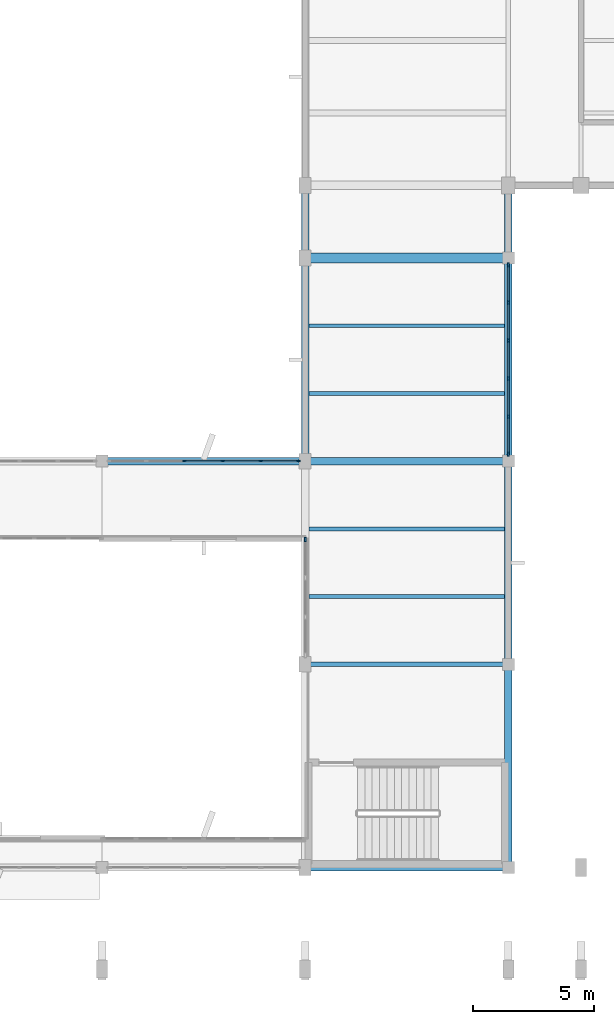
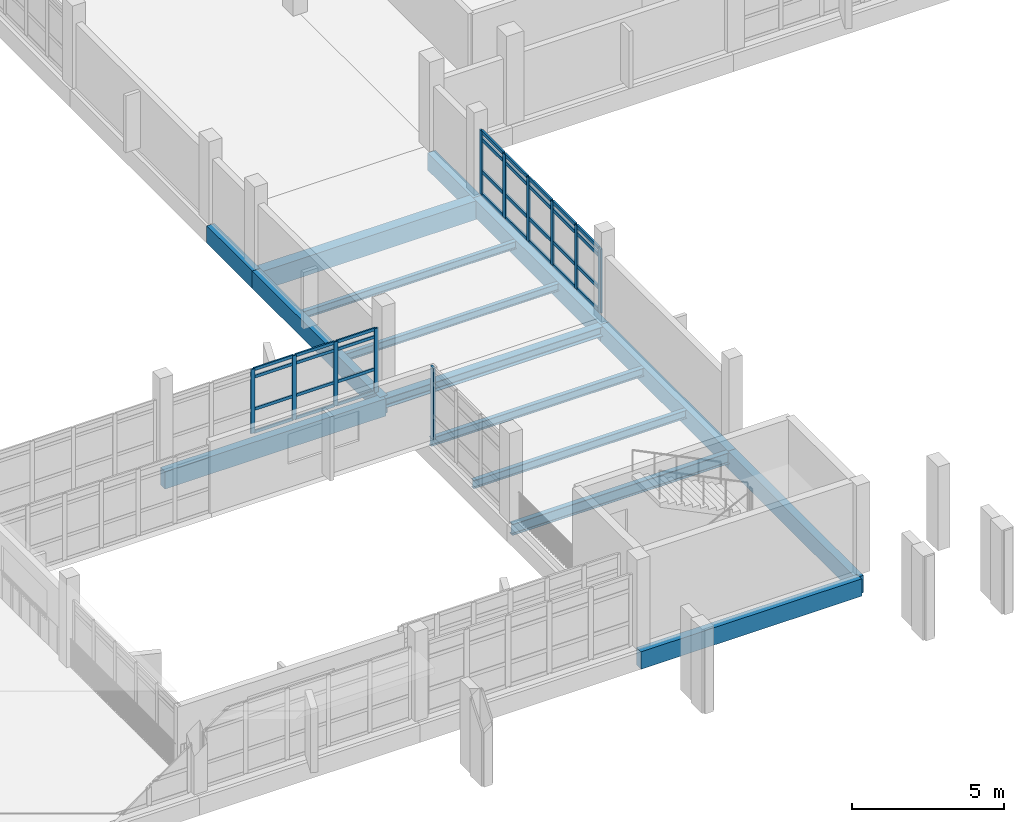
# One storey, part 10 of 104: 43 members, 15 beams, 3 elements without a shape of their own.
"""IFC4 building model written with IfcOpenShell, lengths in metres."""

from ifc_helpers import new_model, si_unit, direction, frame, origin, origin_2d, place, context, subcontext, project, spatial, rectangle, i_section, extrude, material, material_profile, profile_set, type_object, element, aggregate, save


model = new_model("IFC4")

# Units and contexts
model_context = context("Model", 3, precision=1e-05, world=origin(), true_north=direction((0.0, 1.0)))
body_context = subcontext(model_context, "Body", "Model", "MODEL_VIEW")
ifc_project = project(units=[si_unit("LENGTHUNIT", "METRE"), si_unit("AREAUNIT", "SQUARE_METRE"), si_unit("VOLUMEUNIT", "CUBIC_METRE"), si_unit("PLANEANGLEUNIT", "RADIAN"), si_unit("MASSUNIT", "GRAM", prefix="KILO")], contexts=[model_context])

# Site, building, storey
site_placement = place(None, origin())
site = spatial("IfcSite", under=ifc_project, at=site_placement, CompositionType="ELEMENT")
building_placement = place(site_placement, origin())
building = spatial("IfcBuilding", under=site, at=building_placement, Name="Vanh Quang Courtyard School", CompositionType="ELEMENT")
storey_placement = place(building_placement, frame((0.0, 0.0, 4.199951171875)))
storey = spatial("IfcBuildingStorey", under=building, at=storey_placement, Name="L01", CompositionType="ELEMENT", Elevation=4.199951171875)

# Beams
ifc_material_1 = material(Name="Concrete C35/45", Category="concrete")
ifc_material_profile_1 = material_profile(ifc_material_1, rectangle(XDim=0.39990234375, YDim=0.75, at=origin_2d()), Name="RC-BM 400x750")
ifc_profile_set_1 = profile_set([ifc_material_profile_1], Name="Concrete C35/45")
beam_type_1 = type_object("IfcBeamType", Name="BM-RC-400x750", PredefinedType="BEAM", material=ifc_profile_set_1)
beam_1_placement = place(storey_placement, frame((29.39990234375, 29.39990234375, -0.655029296875), z_axis=(1.0, 0.0, 0.0), x_axis=(0.0, 1.0, 0.0)))
element("IfcBeam", 1, at=beam_1_placement, inside=storey, type_object=beam_type_1, Name="Beam B-03 (L01)", PredefinedType="BEAM", context=body_context, shape_type="SweptSolid", body=[
    extrude(rectangle(XDim=0.39990234375, YDim=0.75, at=origin_2d()), origin(), (0.0, 0.0, 1.0), 8.400146484375),
])
ifc_material_profile_2 = material_profile(ifc_material_1, rectangle(XDim=0.300048828125, YDim=0.699951171875, at=origin_2d()), Name="RC-SP 300x700")
ifc_profile_set_2 = profile_set([ifc_material_profile_2], Name="Concrete C35/45")
beam_type_2 = type_object("IfcBeamType", Name="BM-SP-300x700", PredefinedType="SPANDREL", material=ifc_profile_set_2)
beam_2_placement = place(storey_placement, frame((29.39990234375, 4.199951171875, -0.6298828125), z_axis=(1.0, 0.0, 0.0), x_axis=(0.0, 1.0, 0.0)))
element("IfcBeam", 2, at=beam_2_placement, inside=storey, type_object=beam_type_2, Name="Beam BS-01 (L01)", PredefinedType="SPANDREL", context=body_context, shape_type="SweptSolid", body=[
    extrude(rectangle(XDim=0.300048828125, YDim=0.699951171875, at=origin_2d()), origin(), (0.0, 0.0, 1.0), 8.400146484375),
])
for number, where, z_axis, x_axis, name in (
    (3, (21.0, 21.0, -0.6298828125), (1.0, 0.0, 0.0), (0.0, 1.0, 0.0), "Beam BS-01 (L01)"),
    (4, (29.39990234375, 21.0, -0.6298828125), (0.0, 1.0, 0.0), (-1.0, 0.0, 0.0), "Beam BS-01 (L01)"),
):
    element("IfcBeam", number, at=place(storey_placement, frame(where, z_axis=z_axis, x_axis=x_axis)), inside=storey, type_object=beam_type_2, Name=name, PredefinedType="SPANDREL", context=body_context, shape_type="SweptSolid", body=[
        extrude(rectangle(XDim=0.300048828125, YDim=0.699951171875, at=origin_2d()), origin(), (0.0, 0.0, 1.0), 8.39990234375),
    ])
beam_3_placement = place(storey_placement, frame((29.39990234375, 29.39990234375, -0.6298828125), z_axis=(0.0, 1.0, 0.0), x_axis=(-1.0, 0.0, 0.0)))
element("IfcBeam", 5, at=beam_3_placement, inside=storey, type_object=beam_type_2, Name="Beam BS-01 (L01)", PredefinedType="SPANDREL", context=body_context, shape_type="SweptSolid", body=[
    extrude(rectangle(XDim=0.300048828125, YDim=0.699951171875, at=origin_2d()), origin(), (0.0, 0.0, 1.0), 3.0),
])
beam_4_placement = place(storey_placement, frame((37.800048828125, 4.199951171875, -0.6298828125), z_axis=(0.0, 1.0, 0.0), x_axis=(-1.0, 0.0, 0.0)))
element("IfcBeam", 6, at=beam_4_placement, inside=storey, type_object=beam_type_2, Name="Beam BS-01 (L01)", PredefinedType="SPANDREL", context=body_context, shape_type="SweptSolid", body=[
    extrude(rectangle(XDim=0.300048828125, YDim=0.699951171875, at=origin_2d()), origin(), (0.0, 0.0, 1.0), 8.400146484375),
])
for number, where, z_axis, x_axis, name in (
    (7, (37.800048828125, 12.60009765625, -0.6298828125), (0.0, 1.0, 0.0), (-1.0, 0.0, 0.0), "Beam BS-01 (L01)"),
    (8, (37.800048828125, 21.0, -0.6298828125), (0.0, 1.0, 0.0), (-1.0, 0.0, 0.0), "Beam BS-01 (L01)"),
):
    element("IfcBeam", number, at=place(storey_placement, frame(where, z_axis=z_axis, x_axis=x_axis)), inside=storey, type_object=beam_type_2, Name=name, PredefinedType="SPANDREL", context=body_context, shape_type="SweptSolid", body=[
        extrude(rectangle(XDim=0.300048828125, YDim=0.699951171875, at=origin_2d()), origin(), (0.0, 0.0, 1.0), 8.39990234375),
    ])
beam_5_placement = place(storey_placement, frame((37.800048828125, 29.39990234375, -0.6298828125), z_axis=(0.0, 1.0, 0.0), x_axis=(-1.0, 0.0, 0.0)))
element("IfcBeam", 9, at=beam_5_placement, inside=storey, type_object=beam_type_2, Name="Beam BS-01 (L01)", PredefinedType="SPANDREL", context=body_context, shape_type="SweptSolid", body=[
    extrude(rectangle(XDim=0.300048828125, YDim=0.699951171875, at=origin_2d()), origin(), (0.0, 0.0, 1.0), 3.0),
])
ifc_material_2 = material(Name="Structural steel EN 10025-2 S355J2", Category="steel")
ifc_material_profile_3 = material_profile(ifc_material_2, i_section(OverallWidth=0.300048828125, OverallDepth=0.389892578125, WebThickness=0.010986328125, FlangeThickness=0.01904296875, FilletRadius=0.027099609375, at=origin_2d()), Name="HEA 400")
ifc_profile_set_3 = profile_set([ifc_material_profile_3], Name="Structural steel EN 10025-2 S355J2")
beam_type_3 = type_object("IfcBeamType", Name="BM-STL-HEA400", PredefinedType="BEAM", material=ifc_profile_set_3)
beam_6_placement = place(storey_placement, frame((29.39990234375, 21.0, -0.474853515625), z_axis=(1.0, 0.0, 0.0), x_axis=(0.0, 1.0, 0.0)))
element("IfcBeam", 10, at=beam_6_placement, inside=storey, type_object=beam_type_3, Name="Beam SB-08 (L01)", PredefinedType="BEAM", context=body_context, shape_type="SweptSolid", body=[
    extrude(i_section(OverallWidth=0.300048828125, OverallDepth=0.389892578125, WebThickness=0.010986328125, FlangeThickness=0.01904296875, FilletRadius=0.027099609375, at=origin_2d()), origin(), (0.0, 0.0, 1.0), 8.400146484375),
])
ifc_material_profile_4 = material_profile(ifc_material_2, i_section(OverallWidth=0.18994140625, OverallDepth=0.449951171875, WebThickness=0.009521484375, FlangeThickness=0.0146484375, FilletRadius=0.02099609375, at=origin_2d()), Name="IPE 450")
ifc_profile_set_4 = profile_set([ifc_material_profile_4], Name="Structural steel EN 10025-2 S355J2")
beam_type_4 = type_object("IfcBeamType", Name="BM-STL-IPE450", PredefinedType="BEAM", material=ifc_profile_set_4)
beam_7_placement = place(storey_placement, frame((29.39990234375, 12.60009765625, -0.5048828125), z_axis=(1.0, 0.0, 0.0), x_axis=(0.0, 1.0, 0.0)))
element("IfcBeam", 11, at=beam_7_placement, inside=storey, type_object=beam_type_4, Name="Beam SB-04 (L01)", PredefinedType="BEAM", context=body_context, shape_type="SweptSolid", body=[
    extrude(i_section(OverallWidth=0.18994140625, OverallDepth=0.449951171875, WebThickness=0.009521484375, FlangeThickness=0.0146484375, FilletRadius=0.02099609375, at=origin_2d()), origin(), (0.0, 0.0, 1.0), 8.400146484375),
])

# Curtain wall, members
ifc_material_3 = material(Name="Thermally broken aluminium unitised curtain wall", Category="aluminium")
curtain_wall_type_1 = type_object("IfcCurtainWallType", Name="CW-SYS-19", PredefinedType="NOTDEFINED", material=ifc_material_3)
curtain_wall_1_placement = place(storey_placement, origin())
curtain_wall_1 = element("IfcCurtainWall", 12, at=curtain_wall_1_placement, inside=storey, type_object=curtain_wall_type_1, Name="Curtain Wall CW-19 (L01)", PredefinedType="NOTDEFINED")
ifc_material_4 = material(Name="Anodised aluminium 6063-T6", Category="aluminium")
ifc_material_profile_5 = material_profile(ifc_material_4, rectangle(XDim=0.06005859375, YDim=0.159912109375, at=origin_2d()), Name="ALU-MUL 60x160")
ifc_profile_set_5 = profile_set([ifc_material_profile_5], Name="Anodised aluminium 6063-T6")
member_type_1 = type_object("IfcMemberType", Name="CW-MUL-60x160", PredefinedType="MULLION", material=ifc_profile_set_5)
member_1_placement = place(storey_placement, frame((24.41162109375, 21.0, 0.0), z_axis=(0.0, 0.0, 1.0), x_axis=(0.0, 1.0, 0.0)))
member_1 = element("IfcMember", 13, at=member_1_placement, type_object=member_type_1, Name="CW-19 mullion 3", PredefinedType="MULLION", context=body_context, shape_type="SweptSolid", body=[
    extrude(rectangle(XDim=0.06005859375, YDim=0.159912109375, at=origin_2d()), origin(), (0.0, 0.0, 1.0), 2.580078125),
])
member_2_placement = place(storey_placement, frame((25.98828125, 21.0, 0.0), z_axis=(0.0, 0.0, 1.0), x_axis=(0.0, 1.0, 0.0)))
member_2 = element("IfcMember", 14, at=member_2_placement, type_object=member_type_1, Name="CW-19 mullion 4", PredefinedType="MULLION", context=body_context, shape_type="SweptSolid", body=[
    extrude(rectangle(XDim=0.06005859375, YDim=0.159912109375, at=origin_2d()), origin(), (0.0, 0.0, 1.0), 2.580078125),
])
member_3_placement = place(storey_placement, frame((27.565185546875, 21.0, 0.0), z_axis=(0.0, 0.0, 1.0), x_axis=(0.0, 1.0, 0.0)))
member_3 = element("IfcMember", 15, at=member_3_placement, type_object=member_type_1, Name="CW-19 mullion 5", PredefinedType="MULLION", context=body_context, shape_type="SweptSolid", body=[
    extrude(rectangle(XDim=0.06005859375, YDim=0.159912109375, at=origin_2d()), origin(), (0.0, 0.0, 1.0), 2.580078125),
])
member_4_placement = place(storey_placement, frame((29.112060546875, 21.0, 0.0), z_axis=(0.0, 0.0, 1.0), x_axis=(0.0, 1.0, 0.0)))
member_4 = element("IfcMember", 16, at=member_4_placement, type_object=member_type_1, Name="CW-19 mullion 6", PredefinedType="MULLION", context=body_context, shape_type="SweptSolid", body=[
    extrude(rectangle(XDim=0.06005859375, YDim=0.159912109375, at=origin_2d()), origin(), (0.0, 0.0, 1.0), 2.580078125),
])

curtain_wall_2_placement = place(storey_placement, origin())
curtain_wall_2 = element("IfcCurtainWall", 17, at=curtain_wall_2_placement, inside=storey, type_object=curtain_wall_type_1, Name="Curtain Wall CW-19 (L01)", PredefinedType="NOTDEFINED")
ifc_material_profile_6 = material_profile(ifc_material_4, rectangle(XDim=0.070068359375, YDim=0.179931640625, at=origin_2d()), Name="ALU-MUL 70x180")
ifc_profile_set_6 = profile_set([ifc_material_profile_6], Name="Anodised aluminium 6063-T6")
member_type_2 = type_object("IfcMemberType", Name="CW-MUL-70x180", PredefinedType="MULLION", material=ifc_profile_set_6)
member_5_placement = place(storey_placement, frame((37.800048828125, 29.10693359375, 0.0), z_axis=(0.0, 0.0, 1.0), x_axis=(1.0, 0.0, 0.0)))
member_5 = element("IfcMember", 18, at=member_5_placement, type_object=member_type_2, Name="CW-19 mullion 1", PredefinedType="MULLION", context=body_context, shape_type="SweptSolid", body=[
    extrude(rectangle(XDim=0.070068359375, YDim=0.179931640625, at=origin_2d()), origin(), (0.0, 0.0, 1.0), 2.580078125),
])
member_6_placement = place(storey_placement, frame((37.800048828125, 27.565185546875, 0.0), z_axis=(0.0, 0.0, 1.0), x_axis=(1.0, 0.0, 0.0)))
member_6 = element("IfcMember", 19, at=member_6_placement, type_object=member_type_2, Name="CW-19 mullion 2", PredefinedType="MULLION", context=body_context, shape_type="SweptSolid", body=[
    extrude(rectangle(XDim=0.070068359375, YDim=0.179931640625, at=origin_2d()), origin(), (0.0, 0.0, 1.0), 2.580078125),
])
member_7_placement = place(storey_placement, frame((37.800048828125, 25.98828125, 0.0), z_axis=(0.0, 0.0, 1.0), x_axis=(1.0, 0.0, 0.0)))
member_7 = element("IfcMember", 20, at=member_7_placement, type_object=member_type_2, Name="CW-19 mullion 3", PredefinedType="MULLION", context=body_context, shape_type="SweptSolid", body=[
    extrude(rectangle(XDim=0.070068359375, YDim=0.179931640625, at=origin_2d()), origin(), (0.0, 0.0, 1.0), 2.580078125),
])
member_8_placement = place(storey_placement, frame((37.800048828125, 24.41162109375, 0.0), z_axis=(0.0, 0.0, 1.0), x_axis=(1.0, 0.0, 0.0)))
member_8 = element("IfcMember", 21, at=member_8_placement, type_object=member_type_2, Name="CW-19 mullion 4", PredefinedType="MULLION", context=body_context, shape_type="SweptSolid", body=[
    extrude(rectangle(XDim=0.070068359375, YDim=0.179931640625, at=origin_2d()), origin(), (0.0, 0.0, 1.0), 2.580078125),
])
member_9_placement = place(storey_placement, frame((37.800048828125, 22.834716796875, 0.0), z_axis=(0.0, 0.0, 1.0), x_axis=(1.0, 0.0, 0.0)))
member_9 = element("IfcMember", 22, at=member_9_placement, type_object=member_type_2, Name="CW-19 mullion 5", PredefinedType="MULLION", context=body_context, shape_type="SweptSolid", body=[
    extrude(rectangle(XDim=0.070068359375, YDim=0.179931640625, at=origin_2d()), origin(), (0.0, 0.0, 1.0), 2.580078125),
])
member_10_placement = place(storey_placement, frame((37.800048828125, 21.29296875, 0.0), z_axis=(0.0, 0.0, 1.0), x_axis=(1.0, 0.0, 0.0)))
member_10 = element("IfcMember", 23, at=member_10_placement, type_object=member_type_2, Name="CW-19 mullion 6", PredefinedType="MULLION", context=body_context, shape_type="SweptSolid", body=[
    extrude(rectangle(XDim=0.070068359375, YDim=0.179931640625, at=origin_2d()), origin(), (0.0, 0.0, 1.0), 2.580078125),
])

# Curtain wall, member
curtain_wall_type_2 = type_object("IfcCurtainWallType", Name="CW-SYS-32", PredefinedType="NOTDEFINED", material=ifc_material_3)
curtain_wall_3_placement = place(storey_placement, origin())
curtain_wall_3 = element("IfcCurtainWall", 24, at=curtain_wall_3_placement, inside=storey, type_object=curtain_wall_type_2, Name="Curtain Wall CW-32 (L01)", PredefinedType="NOTDEFINED")
ifc_material_profile_7 = material_profile(ifc_material_4, rectangle(XDim=0.080078125, YDim=0.199951171875, at=origin_2d()), Name="ALU-MUL 80x200")
ifc_profile_set_7 = profile_set([ifc_material_profile_7], Name="Anodised aluminium 6063-T6")
member_type_3 = type_object("IfcMemberType", Name="CW-MUL-80x200", PredefinedType="MULLION", material=ifc_profile_set_7)
member_11_placement = place(storey_placement, frame((29.39990234375, 17.760009765625, 0.0), z_axis=(0.0, 0.0, 1.0), x_axis=(-1.0, 0.0, 0.0)))
member_11 = element("IfcMember", 25, at=member_11_placement, type_object=member_type_3, Name="CW-32 mullion 4", PredefinedType="MULLION", context=body_context, shape_type="SweptSolid", body=[
    extrude(rectangle(XDim=0.080078125, YDim=0.199951171875, at=origin_2d()), origin(), (0.0, 0.0, 1.0), 2.880126953125),
])
aggregate(curtain_wall_3, [member_11])

# Member
ifc_material_profile_8 = material_profile(ifc_material_4, rectangle(XDim=0.06005859375, YDim=0.1201171875, at=origin_2d()), Name="ALU-TRN 60x120")
ifc_profile_set_8 = profile_set([ifc_material_profile_8], Name="Anodised aluminium 6063-T6")
member_type_4 = type_object("IfcMemberType", Name="CW-TRN-60x120", PredefinedType="USERDEFINED", material=ifc_profile_set_8)
member_12_placement = place(storey_placement, frame((24.441650390625, 21.0, 0.030029296875), z_axis=(1.0, 0.0, 0.0), x_axis=(0.0, 1.0, 0.0)))
member_12 = element("IfcMember", 26, at=member_12_placement, type_object=member_type_4, Name="CW-19 transom 3.1", ObjectType="TRANSOM", PredefinedType="USERDEFINED", context=body_context, shape_type="SweptSolid", body=[
    extrude(rectangle(XDim=0.06005859375, YDim=0.1201171875, at=origin_2d()), origin(), (0.0, 0.0, 1.0), 1.516845703125),
])

member_13_placement = place(storey_placement, frame((24.441650390625, 21.0, 0.949951171875), z_axis=(1.0, 0.0, 0.0), x_axis=(0.0, 1.0, 0.0)))
member_13 = element("IfcMember", 27, at=member_13_placement, type_object=member_type_4, Name="CW-19 transom 3.2", ObjectType="TRANSOM", PredefinedType="USERDEFINED", context=body_context, shape_type="SweptSolid", body=[
    extrude(rectangle(XDim=0.06005859375, YDim=0.1201171875, at=origin_2d()), origin(), (0.0, 0.0, 1.0), 1.516845703125),
])

member_14_placement = place(storey_placement, frame((24.441650390625, 21.0, 2.25), z_axis=(1.0, 0.0, 0.0), x_axis=(0.0, 1.0, 0.0)))
member_14 = element("IfcMember", 28, at=member_14_placement, type_object=member_type_4, Name="CW-19 transom 3.3", ObjectType="TRANSOM", PredefinedType="USERDEFINED", context=body_context, shape_type="SweptSolid", body=[
    extrude(rectangle(XDim=0.06005859375, YDim=0.1201171875, at=origin_2d()), origin(), (0.0, 0.0, 1.0), 1.516845703125),
])

member_15_placement = place(storey_placement, frame((24.441650390625, 21.0, 2.550048828125), z_axis=(1.0, 0.0, 0.0), x_axis=(0.0, 1.0, 0.0)))
member_15 = element("IfcMember", 29, at=member_15_placement, type_object=member_type_4, Name="CW-19 transom 3.4", ObjectType="TRANSOM", PredefinedType="USERDEFINED", context=body_context, shape_type="SweptSolid", body=[
    extrude(rectangle(XDim=0.06005859375, YDim=0.1201171875, at=origin_2d()), origin(), (0.0, 0.0, 1.0), 1.516845703125),
])

member_16_placement = place(storey_placement, frame((26.018310546875, 21.0, 0.030029296875), z_axis=(1.0, 0.0, 0.0), x_axis=(0.0, 1.0, 0.0)))
member_16 = element("IfcMember", 30, at=member_16_placement, type_object=member_type_4, Name="CW-19 transom 4.1", ObjectType="TRANSOM", PredefinedType="USERDEFINED", context=body_context, shape_type="SweptSolid", body=[
    extrude(rectangle(XDim=0.06005859375, YDim=0.1201171875, at=origin_2d()), origin(), (0.0, 0.0, 1.0), 1.516845703125),
])

member_17_placement = place(storey_placement, frame((26.018310546875, 21.0, 0.949951171875), z_axis=(1.0, 0.0, 0.0), x_axis=(0.0, 1.0, 0.0)))
member_17 = element("IfcMember", 31, at=member_17_placement, type_object=member_type_4, Name="CW-19 transom 4.2", ObjectType="TRANSOM", PredefinedType="USERDEFINED", context=body_context, shape_type="SweptSolid", body=[
    extrude(rectangle(XDim=0.06005859375, YDim=0.1201171875, at=origin_2d()), origin(), (0.0, 0.0, 1.0), 1.516845703125),
])

member_18_placement = place(storey_placement, frame((26.018310546875, 21.0, 2.25), z_axis=(1.0, 0.0, 0.0), x_axis=(0.0, 1.0, 0.0)))
member_18 = element("IfcMember", 32, at=member_18_placement, type_object=member_type_4, Name="CW-19 transom 4.3", ObjectType="TRANSOM", PredefinedType="USERDEFINED", context=body_context, shape_type="SweptSolid", body=[
    extrude(rectangle(XDim=0.06005859375, YDim=0.1201171875, at=origin_2d()), origin(), (0.0, 0.0, 1.0), 1.516845703125),
])

member_19_placement = place(storey_placement, frame((26.018310546875, 21.0, 2.550048828125), z_axis=(1.0, 0.0, 0.0), x_axis=(0.0, 1.0, 0.0)))
member_19 = element("IfcMember", 33, at=member_19_placement, type_object=member_type_4, Name="CW-19 transom 4.4", ObjectType="TRANSOM", PredefinedType="USERDEFINED", context=body_context, shape_type="SweptSolid", body=[
    extrude(rectangle(XDim=0.06005859375, YDim=0.1201171875, at=origin_2d()), origin(), (0.0, 0.0, 1.0), 1.516845703125),
])

member_20_placement = place(storey_placement, frame((27.59521484375, 21.0, 0.030029296875), z_axis=(1.0, 0.0, 0.0), x_axis=(0.0, 1.0, 0.0)))
member_20 = element("IfcMember", 34, at=member_20_placement, type_object=member_type_4, Name="CW-19 transom 5.1", ObjectType="TRANSOM", PredefinedType="USERDEFINED", context=body_context, shape_type="SweptSolid", body=[
    extrude(rectangle(XDim=0.06005859375, YDim=0.1201171875, at=origin_2d()), origin(), (0.0, 0.0, 1.0), 1.48681640625),
])

member_21_placement = place(storey_placement, frame((27.59521484375, 21.0, 0.949951171875), z_axis=(1.0, 0.0, 0.0), x_axis=(0.0, 1.0, 0.0)))
member_21 = element("IfcMember", 35, at=member_21_placement, type_object=member_type_4, Name="CW-19 transom 5.2", ObjectType="TRANSOM", PredefinedType="USERDEFINED", context=body_context, shape_type="SweptSolid", body=[
    extrude(rectangle(XDim=0.06005859375, YDim=0.1201171875, at=origin_2d()), origin(), (0.0, 0.0, 1.0), 1.48681640625),
])

member_22_placement = place(storey_placement, frame((27.59521484375, 21.0, 2.25), z_axis=(1.0, 0.0, 0.0), x_axis=(0.0, 1.0, 0.0)))
member_22 = element("IfcMember", 36, at=member_22_placement, type_object=member_type_4, Name="CW-19 transom 5.3", ObjectType="TRANSOM", PredefinedType="USERDEFINED", context=body_context, shape_type="SweptSolid", body=[
    extrude(rectangle(XDim=0.06005859375, YDim=0.1201171875, at=origin_2d()), origin(), (0.0, 0.0, 1.0), 1.48681640625),
])

member_23_placement = place(storey_placement, frame((27.59521484375, 21.0, 2.550048828125), z_axis=(1.0, 0.0, 0.0), x_axis=(0.0, 1.0, 0.0)))
member_23 = element("IfcMember", 37, at=member_23_placement, type_object=member_type_4, Name="CW-19 transom 5.4", ObjectType="TRANSOM", PredefinedType="USERDEFINED", context=body_context, shape_type="SweptSolid", body=[
    extrude(rectangle(XDim=0.06005859375, YDim=0.1201171875, at=origin_2d()), origin(), (0.0, 0.0, 1.0), 1.48681640625),
])

aggregate(curtain_wall_1, [member_1, member_2, member_3, member_4, member_12, member_13, member_14, member_15, member_16, member_17, member_18, member_19, member_20, member_21, member_22, member_23])

ifc_material_profile_9 = material_profile(ifc_material_4, rectangle(XDim=0.070068359375, YDim=0.139892578125, at=origin_2d()), Name="ALU-TRN 70x140")
ifc_profile_set_9 = profile_set([ifc_material_profile_9], Name="Anodised aluminium 6063-T6")
member_type_5 = type_object("IfcMemberType", Name="CW-TRN-70x140", PredefinedType="USERDEFINED", material=ifc_profile_set_9)
member_24_placement = place(storey_placement, frame((37.800048828125, 29.072021484375, 0.03515625), z_axis=(0.0, -1.0, 0.0), x_axis=(1.0, 0.0, 0.0)))
member_24 = element("IfcMember", 38, at=member_24_placement, type_object=member_type_5, Name="CW-19 transom 1.1", ObjectType="TRANSOM", PredefinedType="USERDEFINED", context=body_context, shape_type="SweptSolid", body=[
    extrude(rectangle(XDim=0.070068359375, YDim=0.139892578125, at=origin_2d()), origin(), (0.0, 0.0, 1.0), 1.471923828125),
])

member_25_placement = place(storey_placement, frame((37.800048828125, 29.072021484375, 0.949951171875), z_axis=(0.0, -1.0, 0.0), x_axis=(1.0, 0.0, 0.0)))
member_25 = element("IfcMember", 39, at=member_25_placement, type_object=member_type_5, Name="CW-19 transom 1.2", ObjectType="TRANSOM", PredefinedType="USERDEFINED", context=body_context, shape_type="SweptSolid", body=[
    extrude(rectangle(XDim=0.070068359375, YDim=0.139892578125, at=origin_2d()), origin(), (0.0, 0.0, 1.0), 1.471923828125),
])

member_26_placement = place(storey_placement, frame((37.800048828125, 29.072021484375, 2.25), z_axis=(0.0, -1.0, 0.0), x_axis=(1.0, 0.0, 0.0)))
member_26 = element("IfcMember", 40, at=member_26_placement, type_object=member_type_5, Name="CW-19 transom 1.3", ObjectType="TRANSOM", PredefinedType="USERDEFINED", context=body_context, shape_type="SweptSolid", body=[
    extrude(rectangle(XDim=0.070068359375, YDim=0.139892578125, at=origin_2d()), origin(), (0.0, 0.0, 1.0), 1.471923828125),
])

member_27_placement = place(storey_placement, frame((37.800048828125, 29.072021484375, 2.545166015625), z_axis=(0.0, -1.0, 0.0), x_axis=(1.0, 0.0, 0.0)))
member_27 = element("IfcMember", 41, at=member_27_placement, type_object=member_type_5, Name="CW-19 transom 1.4", ObjectType="TRANSOM", PredefinedType="USERDEFINED", context=body_context, shape_type="SweptSolid", body=[
    extrude(rectangle(XDim=0.070068359375, YDim=0.139892578125, at=origin_2d()), origin(), (0.0, 0.0, 1.0), 1.471923828125),
])

member_28_placement = place(storey_placement, frame((37.800048828125, 27.5302734375, 0.03515625), z_axis=(0.0, -1.0, 0.0), x_axis=(1.0, 0.0, 0.0)))
member_28 = element("IfcMember", 42, at=member_28_placement, type_object=member_type_5, Name="CW-19 transom 2.1", ObjectType="TRANSOM", PredefinedType="USERDEFINED", context=body_context, shape_type="SweptSolid", body=[
    extrude(rectangle(XDim=0.070068359375, YDim=0.139892578125, at=origin_2d()), origin(), (0.0, 0.0, 1.0), 1.5068359375),
])

member_29_placement = place(storey_placement, frame((37.800048828125, 27.5302734375, 0.949951171875), z_axis=(0.0, -1.0, 0.0), x_axis=(1.0, 0.0, 0.0)))
member_29 = element("IfcMember", 43, at=member_29_placement, type_object=member_type_5, Name="CW-19 transom 2.2", ObjectType="TRANSOM", PredefinedType="USERDEFINED", context=body_context, shape_type="SweptSolid", body=[
    extrude(rectangle(XDim=0.070068359375, YDim=0.139892578125, at=origin_2d()), origin(), (0.0, 0.0, 1.0), 1.5068359375),
])

member_30_placement = place(storey_placement, frame((37.800048828125, 27.5302734375, 2.25), z_axis=(0.0, -1.0, 0.0), x_axis=(1.0, 0.0, 0.0)))
member_30 = element("IfcMember", 44, at=member_30_placement, type_object=member_type_5, Name="CW-19 transom 2.3", ObjectType="TRANSOM", PredefinedType="USERDEFINED", context=body_context, shape_type="SweptSolid", body=[
    extrude(rectangle(XDim=0.070068359375, YDim=0.139892578125, at=origin_2d()), origin(), (0.0, 0.0, 1.0), 1.5068359375),
])

member_31_placement = place(storey_placement, frame((37.800048828125, 27.5302734375, 2.545166015625), z_axis=(0.0, -1.0, 0.0), x_axis=(1.0, 0.0, 0.0)))
member_31 = element("IfcMember", 45, at=member_31_placement, type_object=member_type_5, Name="CW-19 transom 2.4", ObjectType="TRANSOM", PredefinedType="USERDEFINED", context=body_context, shape_type="SweptSolid", body=[
    extrude(rectangle(XDim=0.070068359375, YDim=0.139892578125, at=origin_2d()), origin(), (0.0, 0.0, 1.0), 1.5068359375),
])

member_32_placement = place(storey_placement, frame((37.800048828125, 25.953369140625, 0.03515625), z_axis=(0.0, -1.0, 0.0), x_axis=(1.0, 0.0, 0.0)))
member_32 = element("IfcMember", 46, at=member_32_placement, type_object=member_type_5, Name="CW-19 transom 3.1", ObjectType="TRANSOM", PredefinedType="USERDEFINED", context=body_context, shape_type="SweptSolid", body=[
    extrude(rectangle(XDim=0.070068359375, YDim=0.139892578125, at=origin_2d()), origin(), (0.0, 0.0, 1.0), 1.5068359375),
])

member_33_placement = place(storey_placement, frame((37.800048828125, 25.953369140625, 0.949951171875), z_axis=(0.0, -1.0, 0.0), x_axis=(1.0, 0.0, 0.0)))
member_33 = element("IfcMember", 47, at=member_33_placement, type_object=member_type_5, Name="CW-19 transom 3.2", ObjectType="TRANSOM", PredefinedType="USERDEFINED", context=body_context, shape_type="SweptSolid", body=[
    extrude(rectangle(XDim=0.070068359375, YDim=0.139892578125, at=origin_2d()), origin(), (0.0, 0.0, 1.0), 1.5068359375),
])

member_34_placement = place(storey_placement, frame((37.800048828125, 25.953369140625, 2.25), z_axis=(0.0, -1.0, 0.0), x_axis=(1.0, 0.0, 0.0)))
member_34 = element("IfcMember", 48, at=member_34_placement, type_object=member_type_5, Name="CW-19 transom 3.3", ObjectType="TRANSOM", PredefinedType="USERDEFINED", context=body_context, shape_type="SweptSolid", body=[
    extrude(rectangle(XDim=0.070068359375, YDim=0.139892578125, at=origin_2d()), origin(), (0.0, 0.0, 1.0), 1.5068359375),
])

member_35_placement = place(storey_placement, frame((37.800048828125, 25.953369140625, 2.545166015625), z_axis=(0.0, -1.0, 0.0), x_axis=(1.0, 0.0, 0.0)))
member_35 = element("IfcMember", 49, at=member_35_placement, type_object=member_type_5, Name="CW-19 transom 3.4", ObjectType="TRANSOM", PredefinedType="USERDEFINED", context=body_context, shape_type="SweptSolid", body=[
    extrude(rectangle(XDim=0.070068359375, YDim=0.139892578125, at=origin_2d()), origin(), (0.0, 0.0, 1.0), 1.5068359375),
])

member_36_placement = place(storey_placement, frame((37.800048828125, 24.376708984375, 0.03515625), z_axis=(0.0, -1.0, 0.0), x_axis=(1.0, 0.0, 0.0)))
member_36 = element("IfcMember", 50, at=member_36_placement, type_object=member_type_5, Name="CW-19 transom 4.1", ObjectType="TRANSOM", PredefinedType="USERDEFINED", context=body_context, shape_type="SweptSolid", body=[
    extrude(rectangle(XDim=0.070068359375, YDim=0.139892578125, at=origin_2d()), origin(), (0.0, 0.0, 1.0), 1.5068359375),
])

member_37_placement = place(storey_placement, frame((37.800048828125, 24.376708984375, 0.949951171875), z_axis=(0.0, -1.0, 0.0), x_axis=(1.0, 0.0, 0.0)))
member_37 = element("IfcMember", 51, at=member_37_placement, type_object=member_type_5, Name="CW-19 transom 4.2", ObjectType="TRANSOM", PredefinedType="USERDEFINED", context=body_context, shape_type="SweptSolid", body=[
    extrude(rectangle(XDim=0.070068359375, YDim=0.139892578125, at=origin_2d()), origin(), (0.0, 0.0, 1.0), 1.5068359375),
])

member_38_placement = place(storey_placement, frame((37.800048828125, 24.376708984375, 2.25), z_axis=(0.0, -1.0, 0.0), x_axis=(1.0, 0.0, 0.0)))
member_38 = element("IfcMember", 52, at=member_38_placement, type_object=member_type_5, Name="CW-19 transom 4.3", ObjectType="TRANSOM", PredefinedType="USERDEFINED", context=body_context, shape_type="SweptSolid", body=[
    extrude(rectangle(XDim=0.070068359375, YDim=0.139892578125, at=origin_2d()), origin(), (0.0, 0.0, 1.0), 1.5068359375),
])

member_39_placement = place(storey_placement, frame((37.800048828125, 24.376708984375, 2.545166015625), z_axis=(0.0, -1.0, 0.0), x_axis=(1.0, 0.0, 0.0)))
member_39 = element("IfcMember", 53, at=member_39_placement, type_object=member_type_5, Name="CW-19 transom 4.4", ObjectType="TRANSOM", PredefinedType="USERDEFINED", context=body_context, shape_type="SweptSolid", body=[
    extrude(rectangle(XDim=0.070068359375, YDim=0.139892578125, at=origin_2d()), origin(), (0.0, 0.0, 1.0), 1.5068359375),
])

member_40_placement = place(storey_placement, frame((37.800048828125, 22.7998046875, 0.03515625), z_axis=(0.0, -1.0, 0.0), x_axis=(1.0, 0.0, 0.0)))
member_40 = element("IfcMember", 54, at=member_40_placement, type_object=member_type_5, Name="CW-19 transom 5.1", ObjectType="TRANSOM", PredefinedType="USERDEFINED", context=body_context, shape_type="SweptSolid", body=[
    extrude(rectangle(XDim=0.070068359375, YDim=0.139892578125, at=origin_2d()), origin(), (0.0, 0.0, 1.0), 1.471923828125),
])

member_41_placement = place(storey_placement, frame((37.800048828125, 22.7998046875, 0.949951171875), z_axis=(0.0, -1.0, 0.0), x_axis=(1.0, 0.0, 0.0)))
member_41 = element("IfcMember", 55, at=member_41_placement, type_object=member_type_5, Name="CW-19 transom 5.2", ObjectType="TRANSOM", PredefinedType="USERDEFINED", context=body_context, shape_type="SweptSolid", body=[
    extrude(rectangle(XDim=0.070068359375, YDim=0.139892578125, at=origin_2d()), origin(), (0.0, 0.0, 1.0), 1.471923828125),
])

member_42_placement = place(storey_placement, frame((37.800048828125, 22.7998046875, 2.25), z_axis=(0.0, -1.0, 0.0), x_axis=(1.0, 0.0, 0.0)))
member_42 = element("IfcMember", 56, at=member_42_placement, type_object=member_type_5, Name="CW-19 transom 5.3", ObjectType="TRANSOM", PredefinedType="USERDEFINED", context=body_context, shape_type="SweptSolid", body=[
    extrude(rectangle(XDim=0.070068359375, YDim=0.139892578125, at=origin_2d()), origin(), (0.0, 0.0, 1.0), 1.471923828125),
])

member_43_placement = place(storey_placement, frame((37.800048828125, 22.7998046875, 2.545166015625), z_axis=(0.0, -1.0, 0.0), x_axis=(1.0, 0.0, 0.0)))
member_43 = element("IfcMember", 57, at=member_43_placement, type_object=member_type_5, Name="CW-19 transom 5.4", ObjectType="TRANSOM", PredefinedType="USERDEFINED", context=body_context, shape_type="SweptSolid", body=[
    extrude(rectangle(XDim=0.070068359375, YDim=0.139892578125, at=origin_2d()), origin(), (0.0, 0.0, 1.0), 1.471923828125),
])

aggregate(curtain_wall_2, [member_5, member_6, member_7, member_8, member_9, member_10, member_24, member_25, member_26, member_27, member_28, member_29, member_30, member_31, member_32, member_33, member_34, member_35, member_36, member_37, member_38, member_39, member_40, member_41, member_42, member_43])

# Beams
ifc_material_profile_10 = material_profile(ifc_material_2, i_section(OverallWidth=0.14990234375, OverallDepth=0.300048828125, WebThickness=0.007080078125, FlangeThickness=0.0107421875, FilletRadius=0.014892578125, at=origin_2d()), Name="IPE 300")
ifc_profile_set_10 = profile_set([ifc_material_profile_10], Name="Structural steel EN 10025-2 S355J2")
beam_type_5 = type_object("IfcBeamType", Name="JST-STL-IPE300", PredefinedType="JOIST", material=ifc_profile_set_10)
for number, where, z_axis, x_axis, name in (
    (58, (29.550048828125, 23.800048828125, -0.429931640625), (1.0, 0.0, 0.0), (0.0, 1.0, 0.0), "Beam SJ-02 (L01)"),
    (59, (29.550048828125, 26.60009765625, -0.429931640625), (1.0, 0.0, 0.0), (0.0, 1.0, 0.0), "Beam SJ-02 (L01)"),
):
    element("IfcBeam", number, at=place(storey_placement, frame(where, z_axis=z_axis, x_axis=x_axis)), inside=storey, type_object=beam_type_5, Name=name, PredefinedType="JOIST", context=body_context, shape_type="SweptSolid", body=[
        extrude(i_section(OverallWidth=0.14990234375, OverallDepth=0.300048828125, WebThickness=0.007080078125, FlangeThickness=0.0107421875, FilletRadius=0.014892578125, at=origin_2d()), origin(), (0.0, 0.0, 1.0), 8.099853515625),
    ])
ifc_material_profile_11 = material_profile(ifc_material_2, i_section(OverallWidth=0.159912109375, OverallDepth=0.330078125, WebThickness=0.007568359375, FlangeThickness=0.011474609375, FilletRadius=0.01806640625, at=origin_2d()), Name="IPE 330")
ifc_profile_set_11 = profile_set([ifc_material_profile_11], Name="Structural steel EN 10025-2 S355J2")
beam_type_6 = type_object("IfcBeamType", Name="JST-STL-IPE330", PredefinedType="JOIST", material=ifc_profile_set_11)
for number, where, z_axis, x_axis, name in (
    (60, (29.550048828125, 15.39990234375, -0.445068359375), (1.0, 0.0, 0.0), (0.0, 1.0, 0.0), "Beam SJ-01 (L01)"),
    (61, (29.550048828125, 18.199951171875, -0.445068359375), (1.0, 0.0, 0.0), (0.0, 1.0, 0.0), "Beam SJ-01 (L01)"),
):
    element("IfcBeam", number, at=place(storey_placement, frame(where, z_axis=z_axis, x_axis=x_axis)), inside=storey, type_object=beam_type_6, Name=name, PredefinedType="JOIST", context=body_context, shape_type="SweptSolid", body=[
        extrude(i_section(OverallWidth=0.159912109375, OverallDepth=0.330078125, WebThickness=0.007568359375, FlangeThickness=0.011474609375, FilletRadius=0.01806640625, at=origin_2d()), origin(), (0.0, 0.0, 1.0), 8.099853515625),
    ])

save(model, "model.ifc")
